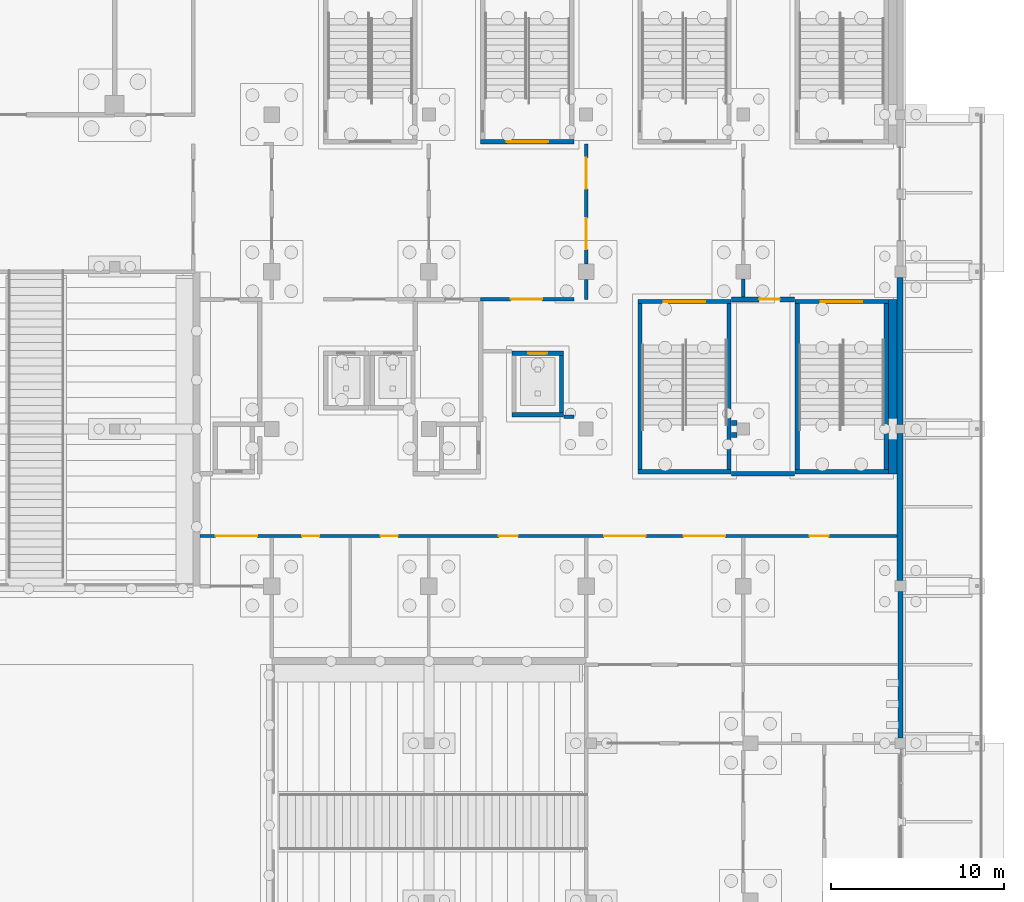
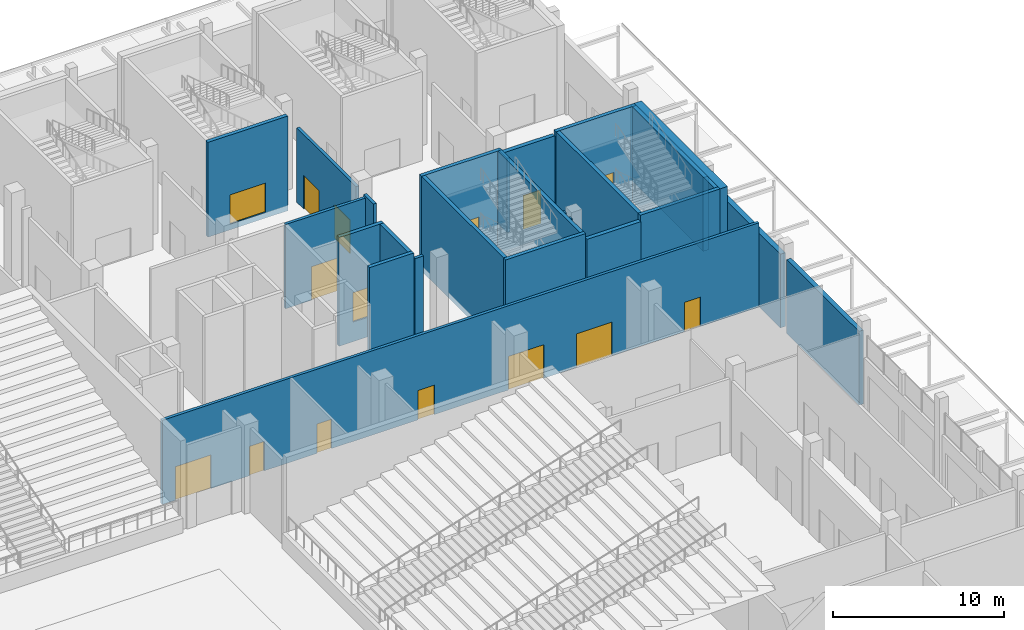
# One storey, part 86 of 129: 26 walls, 15 doors, 15 openings.
"""IFC4 building model written with IfcOpenShell, lengths in metres."""

import ifcopenshell
import ifcopenshell.guid

model = None  # the IFC model being written
_history = None  # IfcOwnerHistory: only IFC2X3 demands one
_inside = {}  # id of a spatial element -> (the spatial element, [elements in it])
_under = {}  # id of a project, library or spatial element -> (it, [spatial elements below it])
_declared = {}  # id of a project -> (the project, [libraries it declares])
_typed = {}  # id of a type object -> (the type object, [elements of that type])
_made_of = {}  # id of a material, layer set ... -> (it, [elements and type objects made of it])


def new_model(schema):
    """Start an empty IFC model of exactly this schema.

    Asked for "IFC4X3", IfcOpenShell would pick the latest addendum, in which some entities
    have other attributes; the version numbers below select the first issue.
    IFC2X3 requires an IfcOwnerHistory on every rooted entity: one is made here for all.
    """
    global model, _history
    if schema == "IFC4X3":
        model = ifcopenshell.file(schema_version=(4, 3, 0, 0))
    else:
        model = ifcopenshell.file(schema=schema)
    _inside.clear()
    _under.clear()
    _declared.clear()
    _typed.clear()
    _made_of.clear()
    _history = None
    if model.schema == "IFC2X3":
        org = make("IfcOrganization", Name="unknown")
        user = make(
            "IfcPersonAndOrganization",
            ThePerson=make("IfcPerson", FamilyName="unknown"),
            TheOrganization=org,
        )
        app = make(
            "IfcApplication",
            ApplicationDeveloper=org,
            Version="unknown",
            ApplicationFullName="unknown",
            ApplicationIdentifier="unknown",
        )
        _history = make(
            "IfcOwnerHistory",
            OwningUser=user,
            OwningApplication=app,
            ChangeAction="ADDED",
            CreationDate=0,
        )
    return model


def make(cls, **values):
    """One entity of the class cls with the attributes given. An attribute that is None is left unset."""
    return model.create_entity(
        cls, **{name: value for name, value in values.items() if value is not None}
    )


def rooted(cls, **values):
    """An entity with a GlobalId (a new one), such as an element, a storey or a relation."""
    return make(cls, GlobalId=ifcopenshell.guid.new(), OwnerHistory=_history, **values)


def si_unit(unit_type, name, prefix=None):
    """IfcSIUnit, for example si_unit("LENGTHUNIT", "METRE", prefix="MILLI")."""
    return make("IfcSIUnit", UnitType=unit_type, Prefix=prefix, Name=name)


def assignment(units):
    """IfcUnitAssignment: the units of a project."""
    return None if units is None else make("IfcUnitAssignment", Units=units)


def point(xyz):
    """IfcCartesianPoint."""
    return None if xyz is None else make("IfcCartesianPoint", Coordinates=xyz)


def direction(xyz):
    """IfcDirection."""
    return None if xyz is None else make("IfcDirection", DirectionRatios=xyz)


def frame(location, z_axis=None, x_axis=None):
    """IfcAxis2Placement3D, a coordinate frame: its origin and axes. An axis left out is left unset."""
    return make(
        "IfcAxis2Placement3D",
        Location=point(location),
        Axis=direction(z_axis),
        RefDirection=direction(x_axis),
    )


def frame_2d(location, x_axis=None):
    """IfcAxis2Placement2D, a coordinate frame in the plane: its origin and x axis."""
    return make(
        "IfcAxis2Placement2D", Location=point(location), RefDirection=direction(x_axis)
    )


def origin():
    """The frame at (0, 0, 0) with its axes left unset."""
    return frame((0.0, 0.0, 0.0))


def place(relative_to, where):
    """IfcLocalPlacement: puts the frame where relative to a parent placement (None: the world)."""
    return make(
        "IfcLocalPlacement", PlacementRelTo=relative_to, RelativePlacement=where
    )


def context(
    kind, dimensions, precision=None, world=None, true_north=None, identifier=None
):
    """IfcGeometricRepresentationContext, for example the 3D "Model" context."""
    return make(
        "IfcGeometricRepresentationContext",
        ContextIdentifier=identifier,
        ContextType=kind,
        CoordinateSpaceDimension=dimensions,
        Precision=precision,
        WorldCoordinateSystem=world,
        TrueNorth=true_north,
    )


def subcontext(parent, identifier, kind, view, scale=None):
    """IfcGeometricRepresentationSubContext, for example "Body" below "Model"."""
    return make(
        "IfcGeometricRepresentationSubContext",
        ContextIdentifier=identifier,
        ContextType=kind,
        ParentContext=parent,
        TargetScale=scale,
        TargetView=view,
    )


def project(units=None, contexts=None):
    """IfcProject with its units and contexts."""
    return rooted(
        "IfcProject",
        Name="project",
        RepresentationContexts=contexts,
        UnitsInContext=assignment(units),
    )


def spatial(cls, under=None, at=None, **own):
    """A site, building, storey or space (cls), placed at a placement, below another one or the project."""
    s = rooted(cls, ObjectPlacement=at, **own)
    if under is not None:
        _under.setdefault(under.id(), (under, []))[1].append(s)
    return s


def profile(cls, at=None, kind="AREA", **sizes):
    """A parametric profile (cls). Its sizes go by their IFC names, for example OverallWidth=200.0."""
    return make(cls, ProfileType=kind, Position=at, **sizes)


def rectangle(**sizes):
    """IfcRectangleProfileDef."""
    return profile("IfcRectangleProfileDef", **sizes)


def extrude(swept, where, along, depth):
    """IfcExtrudedAreaSolid: the profile swept, set in the frame where, extruded along a direction by depth."""
    return make(
        "IfcExtrudedAreaSolid",
        SweptArea=swept,
        Position=where,
        ExtrudedDirection=direction(along),
        Depth=depth,
    )


def shape(context_of_items, identifier, shape_type, items):
    """IfcShapeRepresentation: the items that make up one representation, for example the "Body"."""
    return make(
        "IfcShapeRepresentation",
        ContextOfItems=context_of_items,
        RepresentationIdentifier=identifier,
        RepresentationType=shape_type,
        Items=items,
    )


def material(Name=None, Category=None):
    """IfcMaterial."""
    return make("IfcMaterial", Name=Name, Category=Category)


def layer(
    of_material, thickness, ventilated=None, Name=None, Category=None, Priority=None
):
    """IfcMaterialLayer: one layer of a wall or slab, of a material (None: an air gap)."""
    return make(
        "IfcMaterialLayer",
        Material=of_material,
        LayerThickness=thickness,
        IsVentilated=ventilated,
        Name=Name,
        Category=Category,
        Priority=Priority,
    )


def layer_set(layers, Name=None):
    """IfcMaterialLayerSet."""
    return make("IfcMaterialLayerSet", MaterialLayers=layers, LayerSetName=Name)


def made_of(thing, what):
    """Note that an element or type object is made of a material, layer set ...; save() writes the relation."""
    if what is not None:
        _made_of.setdefault(what.id(), (what, []))[1].append(thing)
    return thing


def type_object(cls, material=None, **own):
    """A type object (cls), such as IfcWallType, which elements share."""
    return made_of(rooted(cls, **own), material)


def element(
    cls,
    number,
    at=None,
    inside=None,
    cuts=None,
    type_object=None,
    material=None,
    context=None,
    identifier="Body",
    shape_type=None,
    held_by="IfcProductDefinitionShape",
    body=None,
    shapes=None,
    **own,
):
    """One element of the class cls, such as IfcWall. Its Tag is "e" and its number.

    at: its placement. inside: the storey or other place that contains it. cuts: it is an
    opening in that element (IfcRelVoidsElement). A single representation is given by context,
    identifier, shape_type and body (its items); several are given by shapes. held_by: the class
    of the entity that holds the representations. save() writes the other relations.
    """
    e = rooted(cls, Tag="e%d" % number, ObjectPlacement=at, **own)
    if body is not None:
        shapes = [shape(context, identifier, shape_type, body)]
    if shapes is not None:
        e.Representation = make(held_by, Representations=shapes)
    if inside is not None:
        _inside.setdefault(inside.id(), (inside, []))[1].append(e)
    if cuts is not None:
        rooted(
            "IfcRelVoidsElement", RelatingBuildingElement=cuts, RelatedOpeningElement=e
        )
    if type_object is not None:
        _typed.setdefault(type_object.id(), (type_object, []))[1].append(e)
    return made_of(e, material)


def fill(opening, filler):
    """IfcRelFillsElement: the door or window that sits in an opening."""
    return rooted(
        "IfcRelFillsElement",
        RelatingOpeningElement=opening,
        RelatedBuildingElement=filler,
    )


def aggregate(whole, parts):
    """IfcRelAggregates: a whole, such as a stair, and the parts it consists of."""
    return rooted("IfcRelAggregates", RelatingObject=whole, RelatedObjects=parts)


def save(model, path):
    """Write the relations noted so far, then the file.

    IfcRelAggregates (storeys below a building ...), IfcRelContainedInSpatialStructure (elements
    in a storey), IfcRelDefinesByType, IfcRelAssociatesMaterial and IfcRelDeclares: one each for
    every whole, place, type object, material and project.
    """
    for whole, parts in _under.values():
        aggregate(whole, parts)
    for where, things in _inside.values():
        rooted(
            "IfcRelContainedInSpatialStructure",
            RelatedElements=things,
            RelatingStructure=where,
        )
    for kind, things in _typed.values():
        rooted("IfcRelDefinesByType", RelatedObjects=things, RelatingType=kind)
    for what, things in _made_of.values():
        rooted("IfcRelAssociatesMaterial", RelatedObjects=things, RelatingMaterial=what)
    for by, libraries in _declared.values():
        rooted("IfcRelDeclares", RelatingContext=by, RelatedDefinitions=libraries)
    model.write(path)


model = new_model("IFC4")

# Units and contexts
model_context = context("Model", 3, precision=1e-05, world=origin(), true_north=direction((0.0, 1.0)))
body_context = subcontext(model_context, "Body", "Model", "MODEL_VIEW")
ifc_project = project(units=[si_unit("LENGTHUNIT", "METRE"), si_unit("AREAUNIT", "SQUARE_METRE"), si_unit("VOLUMEUNIT", "CUBIC_METRE"), si_unit("PLANEANGLEUNIT", "RADIAN"), si_unit("MASSUNIT", "GRAM", prefix="KILO")], contexts=[model_context])

# Site, building, storey
site_placement = place(None, origin())
site = spatial("IfcSite", under=ifc_project, at=site_placement, CompositionType="ELEMENT")
building_placement = place(site_placement, origin())
building = spatial("IfcBuilding", under=site, at=building_placement, Name="Shirokan Park Arena", CompositionType="ELEMENT")
storey_placement = place(building_placement, origin())
storey = spatial("IfcBuildingStorey", under=building, at=storey_placement, Name="L00", CompositionType="ELEMENT", Elevation=0.0)

# Wall
ifc_material_1 = material(Name="Board-formed concrete C40/50", Category="concrete")
ifc_layer_1 = layer(ifc_material_1, 0.1201171875, Name="Board-formed concrete C40/50")
ifc_material_2 = material(Name="Mineral wool insulation")
ifc_layer_2 = layer(ifc_material_2, 0.10009765625, Name="Mineral wool insulation")
ifc_material_3 = material(Name="Concrete C35", Category="concrete")
ifc_layer_3 = layer(ifc_material_3, 0.080078125, Name="Concrete C35")
ifc_layer_set_1 = layer_set([ifc_layer_1, ifc_layer_2, ifc_layer_3], Name="Board-formed concrete C40/50 + Mineral wool insulation + Concrete C35")
wall_type_1 = type_object("IfcWallType", Name="Board-formed concrete base wall 300", PredefinedType="SOLIDWALL", material=ifc_layer_set_1)
wall_1_placement = place(storey_placement, frame((145.60009765625, 64.0, 0.0), z_axis=(0.0, 0.0, 1.0), x_axis=(0.0, 1.0, 0.0)))
element("IfcWall", 1, at=wall_1_placement, inside=storey, type_object=wall_type_1, Name="East facade wall bay 8 L00", PredefinedType="SOLIDWALL", context=body_context, shape_type="SweptSolid", body=[
    extrude(rectangle(XDim=8.47509765625, YDim=0.300048828125, at=frame_2d((4.237548828125, 0.0))), origin(), (0.0, 0.0, 1.0), 5.27001953125),
])

# Wall, openings, doors
ifc_material_4 = material(Name="Gypsum board")
ifc_layer_4 = layer(ifc_material_4, 0.02490234375, Name="Gypsum board, two layers")
ifc_layer_5 = layer(ifc_material_2, 0.14990234375, Name="Mineral wool insulation")
ifc_layer_6 = layer(ifc_material_4, 0.02490234375, Name="Gypsum board, two layers")
ifc_layer_set_2 = layer_set([ifc_layer_4, ifc_layer_5, ifc_layer_6], Name="Gypsum board, two layers + Mineral wool insulation")
wall_type_2 = type_object("IfcWallType", Name="Corridor wall 200", PredefinedType="PARTITIONING", material=ifc_layer_set_2)
wall_2_placement = place(storey_placement, frame((105.050048828125, 75.699951171875, 0.0), z_axis=(0.0, 0.0, 1.0), x_axis=(1.0, 0.0, 0.0)))
wall_2 = element("IfcWall", 2, at=wall_2_placement, inside=storey, type_object=wall_type_2, Name="Corridor wall 200 L00", PredefinedType="PARTITIONING", context=body_context, shape_type="SweptSolid", body=[
    extrude(rectangle(XDim=40.349853515625, YDim=0.199951171875, at=frame_2d((20.1748046875, 0.0))), origin(), (0.0, 0.0, 1.0), 6.02001953125),
])
opening_1_placement = place(wall_2_placement, frame((35.300048828125, 0.0, 0.0)))
opening_1 = element("IfcOpeningElement", 3, at=opening_1_placement, cuts=wall_2, Name="Opening D-0016", PredefinedType="OPENING", context=body_context, shape_type="SweptSolid", body=[
    extrude(rectangle(XDim=1.10009765625, YDim=2.10009765625, at=frame_2d((0.550048828125, 1.050048828125))), frame((0.0, 0.10986328125, 0.0), z_axis=(0.0, -1.0, 0.0), x_axis=(1.0, 0.0, 0.0)), (0.0, 0.0, 1.0), 0.219970703125),
])
opening_2_placement = place(wall_2_placement, frame((17.300048828125, 0.0, 0.0)))
opening_2 = element("IfcOpeningElement", 4, at=opening_2_placement, cuts=wall_2, Name="Opening D-0017", PredefinedType="OPENING", context=body_context, shape_type="SweptSolid", body=[
    extrude(rectangle(XDim=1.10009765625, YDim=2.10009765625, at=frame_2d((0.550048828125, 1.050048828125))), frame((0.0, 0.10986328125, 0.0), z_axis=(0.0, -1.0, 0.0), x_axis=(1.0, 0.0, 0.0)), (0.0, 0.0, 1.0), 0.219970703125),
])
opening_3_placement = place(wall_2_placement, frame((10.449951171875, 0.0, 0.0)))
opening_3 = element("IfcOpeningElement", 5, at=opening_3_placement, cuts=wall_2, Name="Opening D-0018", PredefinedType="OPENING", context=body_context, shape_type="SweptSolid", body=[
    extrude(rectangle(XDim=1.0, YDim=2.10009765625, at=frame_2d((0.5, 1.050048828125))), frame((0.0, 0.10986328125, 0.0), z_axis=(0.0, -1.0, 0.0), x_axis=(1.0, 0.0, 0.0)), (0.0, 0.0, 1.0), 0.219970703125),
])
opening_4_placement = place(wall_2_placement, frame((5.89990234375, 0.0, 0.0)))
opening_4 = element("IfcOpeningElement", 6, at=opening_4_placement, cuts=wall_2, Name="Opening D-0019", PredefinedType="OPENING", context=body_context, shape_type="SweptSolid", body=[
    extrude(rectangle(XDim=1.0, YDim=2.10009765625, at=frame_2d((0.5, 1.050048828125))), frame((0.0, 0.10986328125, 0.0), z_axis=(0.0, -1.0, 0.0), x_axis=(1.0, 0.0, 0.0)), (0.0, 0.0, 1.0), 0.219970703125),
])
opening_5_placement = place(wall_2_placement, frame((28.0, 0.0, 0.0)))
opening_5 = element("IfcOpeningElement", 7, at=opening_5_placement, cuts=wall_2, Name="Opening D-0069", PredefinedType="OPENING", context=body_context, shape_type="SweptSolid", body=[
    extrude(rectangle(XDim=2.39990234375, YDim=2.39990234375, at=frame_2d((1.199951171875, 1.199951171875))), frame((0.0, 0.10986328125, 0.0), z_axis=(0.0, -1.0, 0.0), x_axis=(1.0, 0.0, 0.0)), (0.0, 0.0, 1.0), 0.219970703125),
])
opening_6_placement = place(wall_2_placement, frame((23.39990234375, 0.0, 0.0)))
opening_6 = element("IfcOpeningElement", 8, at=opening_6_placement, cuts=wall_2, Name="Opening D-0070", PredefinedType="OPENING", context=body_context, shape_type="SweptSolid", body=[
    extrude(rectangle(XDim=2.39990234375, YDim=2.39990234375, at=frame_2d((1.199951171875, 1.199951171875))), frame((0.0, 0.10986328125, 0.0), z_axis=(0.0, -1.0, 0.0), x_axis=(1.0, 0.0, 0.0)), (0.0, 0.0, 1.0), 0.219970703125),
])
opening_7_placement = place(wall_2_placement, frame((0.89990234375, 0.0, 0.0)))
opening_7 = element("IfcOpeningElement", 9, at=opening_7_placement, cuts=wall_2, Name="Opening D-0071", PredefinedType="OPENING", context=body_context, shape_type="SweptSolid", body=[
    extrude(rectangle(XDim=2.39990234375, YDim=2.39990234375, at=frame_2d((1.199951171875, 1.199951171875))), frame((0.0, 0.10986328125, 0.0), z_axis=(0.0, -1.0, 0.0), x_axis=(1.0, 0.0, 0.0)), (0.0, 0.0, 1.0), 0.219970703125),
])
ifc_material_5 = material(Name="Timber door set, fire resisting", Category="wood")
door_type_1 = type_object("IfcDoorType", Name="Door 1000 x 2100", OperationType="SINGLE_SWING_LEFT", PredefinedType="DOOR", material=ifc_material_5)
door_1_placement = place(opening_3_placement, origin())
door_1 = element("IfcDoor", 10, at=door_1_placement, inside=storey, type_object=door_type_1, Name="Door to Doping Control Room 0.33 D-0018", OperationType="SINGLE_SWING_LEFT", OverallHeight=2.10009765625, OverallWidth=1.0, PredefinedType="DOOR", context=body_context, shape_type="SweptSolid", body=[
    extrude(rectangle(XDim=1.0, YDim=2.10009765625, at=frame_2d((0.5, 1.050048828125))), frame((0.0, 0.02490234375, 0.0), z_axis=(0.0, -1.0, 0.0), x_axis=(1.0, 0.0, 0.0)), (0.0, 0.0, 1.0), 0.050048828125),
])
fill(opening_3, door_1)
door_2_placement = place(opening_4_placement, origin())
door_2 = element("IfcDoor", 11, at=door_2_placement, inside=storey, type_object=door_type_1, Name="Door to Production Office 0.34 D-0019", OperationType="SINGLE_SWING_LEFT", OverallHeight=2.10009765625, OverallWidth=1.0, PredefinedType="DOOR", context=body_context, shape_type="SweptSolid", body=[
    extrude(rectangle(XDim=1.0, YDim=2.10009765625, at=frame_2d((0.5, 1.050048828125))), frame((0.0, 0.02490234375, 0.0), z_axis=(0.0, -1.0, 0.0), x_axis=(1.0, 0.0, 0.0)), (0.0, 0.0, 1.0), 0.050048828125),
])
fill(opening_4, door_2)
ifc_material_6 = material(Name="Steel door set, fire resisting", Category="steel")
door_type_2 = type_object("IfcDoorType", Name="Double door 2400 x 2400", OperationType="DOUBLE_DOOR_SINGLE_SWING", PredefinedType="DOOR", material=ifc_material_6)
door_3_placement = place(opening_5_placement, origin())
door_3 = element("IfcDoor", 12, at=door_3_placement, inside=storey, type_object=door_type_2, Name="Door between Service Corridor 3.0 and Concourse Link 3.0 D-0069", OperationType="DOUBLE_DOOR_SINGLE_SWING", OverallHeight=2.39990234375, OverallWidth=2.39990234375, PredefinedType="DOOR", context=body_context, shape_type="SweptSolid", body=[
    extrude(rectangle(XDim=2.39990234375, YDim=2.39990234375, at=frame_2d((1.199951171875, 1.199951171875))), frame((0.0, 0.02490234375, 0.0), z_axis=(0.0, -1.0, 0.0), x_axis=(1.0, 0.0, 0.0)), (0.0, 0.0, 1.0), 0.050048828125),
])
fill(opening_5, door_3)
door_4_placement = place(opening_6_placement, origin())
door_4 = element("IfcDoor", 13, at=door_4_placement, inside=storey, type_object=door_type_2, Name="Door between Service Corridor 3.0 and Concourse Link 3.0 D-0070", OperationType="DOUBLE_DOOR_SINGLE_SWING", OverallHeight=2.39990234375, OverallWidth=2.39990234375, PredefinedType="DOOR", context=body_context, shape_type="SweptSolid", body=[
    extrude(rectangle(XDim=2.39990234375, YDim=2.39990234375, at=frame_2d((1.199951171875, 1.199951171875))), frame((0.0, 0.02490234375, 0.0), z_axis=(0.0, -1.0, 0.0), x_axis=(1.0, 0.0, 0.0)), (0.0, 0.0, 1.0), 0.050048828125),
])
fill(opening_6, door_4)
door_5_placement = place(opening_7_placement, origin())
door_5 = element("IfcDoor", 14, at=door_5_placement, inside=storey, type_object=door_type_2, Name="Door between Service Corridor 3.0 and Team Corridor 3.0 D-0071", OperationType="DOUBLE_DOOR_SINGLE_SWING", OverallHeight=2.39990234375, OverallWidth=2.39990234375, PredefinedType="DOOR", context=body_context, shape_type="SweptSolid", body=[
    extrude(rectangle(XDim=2.39990234375, YDim=2.39990234375, at=frame_2d((1.199951171875, 1.199951171875))), frame((0.0, 0.02490234375, 0.0), z_axis=(0.0, -1.0, 0.0), x_axis=(1.0, 0.0, 0.0)), (0.0, 0.0, 1.0), 0.050048828125),
])
fill(opening_7, door_5)
door_type_3 = type_object("IfcDoorType", Name="Dressing room door 1100 x 2100", OperationType="SINGLE_SWING_LEFT", PredefinedType="DOOR", material=ifc_material_5)
door_6_placement = place(opening_1_placement, origin())
door_6 = element("IfcDoor", 15, at=door_6_placement, inside=storey, type_object=door_type_3, Name="Door to Visiting Team Dressing Room 0.31 D-0016", OperationType="SINGLE_SWING_LEFT", OverallHeight=2.10009765625, OverallWidth=1.10009765625, PredefinedType="DOOR", context=body_context, shape_type="SweptSolid", body=[
    extrude(rectangle(XDim=1.10009765625, YDim=2.10009765625, at=frame_2d((0.550048828125, 1.050048828125))), frame((0.0, 0.02490234375, 0.0), z_axis=(0.0, -1.0, 0.0), x_axis=(1.0, 0.0, 0.0)), (0.0, 0.0, 1.0), 0.050048828125),
])
fill(opening_1, door_6)
door_7_placement = place(opening_2_placement, origin())
door_7 = element("IfcDoor", 16, at=door_7_placement, inside=storey, type_object=door_type_3, Name="Door to Visiting Team Locker Room 0.32 D-0017", OperationType="SINGLE_SWING_RIGHT", OverallHeight=2.10009765625, OverallWidth=1.10009765625, PredefinedType="DOOR", context=body_context, shape_type="SweptSolid", body=[
    extrude(rectangle(XDim=1.10009765625, YDim=2.10009765625, at=frame_2d((0.550048828125, 1.050048828125))), frame((0.0, 0.02490234375, 0.0), z_axis=(0.0, -1.0, 0.0), x_axis=(1.0, 0.0, 0.0)), (0.0, 0.0, 1.0), 0.050048828125),
])
fill(opening_2, door_7)

# Wall
wall_3_placement = place(storey_placement, frame((126.699951171875, 82.60009765625, 0.0), z_axis=(0.0, 0.0, 1.0), x_axis=(-1.0, 0.0, 0.0)))
element("IfcWall", 17, at=wall_3_placement, inside=storey, type_object=wall_type_2, Name="Corridor wall 200 L00", PredefinedType="PARTITIONING", context=body_context, shape_type="SweptSolid", body=[
    extrude(rectangle(XDim=0.570068359375, YDim=0.199951171875, at=frame_2d((0.28515625, 0.0))), origin(), (0.0, 0.0, 1.0), 6.02001953125),
])

# Wall, opening, door
wall_4_placement = place(storey_placement, frame((126.699951171875, 89.39990234375, 0.0), z_axis=(0.0, 0.0, 1.0), x_axis=(-1.0, 0.0, 0.0)))
wall_4 = element("IfcWall", 18, at=wall_4_placement, inside=storey, type_object=wall_type_2, Name="Corridor wall 200 L00", PredefinedType="PARTITIONING", context=body_context, shape_type="SweptSolid", body=[
    extrude(rectangle(XDim=5.39990234375, YDim=0.199951171875, at=frame_2d((2.699951171875, 0.0))), origin(), (0.0, 0.0, 1.0), 6.02001953125),
])
opening_8_placement = place(wall_4_placement, frame((1.85009765625, 0.0, 0.0)))
opening_8 = element("IfcOpeningElement", 19, at=opening_8_placement, cuts=wall_4, Name="Opening D-0079", PredefinedType="OPENING", context=body_context, shape_type="SweptSolid", body=[
    extrude(rectangle(XDim=1.800048828125, YDim=2.39990234375, at=frame_2d((0.89990234375, 1.199951171875))), frame((0.0, 0.10986328125, 0.0), z_axis=(0.0, -1.0, 0.0), x_axis=(1.0, 0.0, 0.0)), (0.0, 0.0, 1.0), 0.219970703125),
])
ifc_material_7 = material(Name="Glazed steel door set, fire resisting", Category="steel")
door_type_4 = type_object("IfcDoorType", Name="Lift lobby door 1800 x 2400", OperationType="DOUBLE_DOOR_SINGLE_SWING", PredefinedType="DOOR", material=ifc_material_7)
door_8_placement = place(opening_8_placement, origin())
door_8 = element("IfcDoor", 20, at=door_8_placement, inside=storey, type_object=door_type_4, Name="Door between Hospitality Reception 3.0.3 and Service Lift Lobby 3.0 D-0079", OperationType="DOUBLE_DOOR_SINGLE_SWING", OverallHeight=2.39990234375, OverallWidth=1.800048828125, PredefinedType="DOOR", context=body_context, shape_type="SweptSolid", body=[
    extrude(rectangle(XDim=1.800048828125, YDim=2.39990234375, at=frame_2d((0.89990234375, 1.199951171875))), frame((0.0, 0.02490234375, 0.0), z_axis=(0.0, -1.0, 0.0), x_axis=(1.0, 0.0, 0.0)), (0.0, 0.0, 1.0), 0.050048828125),
])
fill(opening_8, door_8)

# Wall
wall_5_placement = place(storey_placement, frame((127.39990234375, 89.39990234375, 0.0), z_axis=(0.0, 0.0, 1.0), x_axis=(0.0, 1.0, 0.0)))
element("IfcWall", 21, at=wall_5_placement, inside=storey, type_object=wall_type_2, Name="Corridor wall 200 L00", PredefinedType="PARTITIONING", context=body_context, shape_type="SweptSolid", body=[
    extrude(rectangle(XDim=1.150146484375, YDim=0.199951171875, at=frame_2d((0.5751953125, 0.0))), origin(), (0.0, 0.0, 1.0), 5.320068359375),
])

# Wall, openings, doors
wall_6_placement = place(storey_placement, frame((127.39990234375, 91.449951171875, 0.0), z_axis=(0.0, 0.0, 1.0), x_axis=(0.0, 1.0, 0.0)))
wall_6 = element("IfcWall", 22, at=wall_6_placement, inside=storey, type_object=wall_type_2, Name="Corridor wall 200 L00", PredefinedType="PARTITIONING", context=body_context, shape_type="SweptSolid", body=[
    extrude(rectangle(XDim=6.949951171875, YDim=0.199951171875, at=frame_2d((3.47509765625, 0.0))), origin(), (0.0, 0.0, 1.0), 5.320068359375),
])
opening_9_placement = place(wall_6_placement, frame((0.85009765625, 0.0, 0.0)))
opening_9 = element("IfcOpeningElement", 23, at=opening_9_placement, cuts=wall_6, Name="Opening D-0075", PredefinedType="OPENING", context=body_context, shape_type="SweptSolid", body=[
    extrude(rectangle(XDim=1.800048828125, YDim=2.39990234375, at=frame_2d((0.89990234375, 1.199951171875))), frame((0.0, 0.10986328125, 0.0), z_axis=(0.0, -1.0, 0.0), x_axis=(1.0, 0.0, 0.0)), (0.0, 0.0, 1.0), 0.219970703125),
])
opening_10_placement = place(wall_6_placement, frame((4.35009765625, 0.0, 0.0)))
opening_10 = element("IfcOpeningElement", 24, at=opening_10_placement, cuts=wall_6, Name="Opening D-0076", PredefinedType="OPENING", context=body_context, shape_type="SweptSolid", body=[
    extrude(rectangle(XDim=1.800048828125, YDim=2.39990234375, at=frame_2d((0.89990234375, 1.199951171875))), frame((0.0, 0.10986328125, 0.0), z_axis=(0.0, -1.0, 0.0), x_axis=(1.0, 0.0, 0.0)), (0.0, 0.0, 1.0), 0.219970703125),
])
door_9_placement = place(opening_9_placement, origin())
door_9 = element("IfcDoor", 25, at=door_9_placement, inside=storey, type_object=door_type_4, Name="Door between Equipment Lobby 3.0.2 and Hospitality Reception 3.0.3 D-0075", OperationType="DOUBLE_DOOR_SINGLE_SWING", OverallHeight=2.39990234375, OverallWidth=1.800048828125, PredefinedType="DOOR", context=body_context, shape_type="SweptSolid", body=[
    extrude(rectangle(XDim=1.800048828125, YDim=2.39990234375, at=frame_2d((0.89990234375, 1.199951171875))), frame((0.0, 0.02490234375, 0.0), z_axis=(0.0, -1.0, 0.0), x_axis=(1.0, 0.0, 0.0)), (0.0, 0.0, 1.0), 0.050048828125),
])
fill(opening_9, door_9)
door_10_placement = place(opening_10_placement, origin())
door_10 = element("IfcDoor", 26, at=door_10_placement, inside=storey, type_object=door_type_4, Name="Door between Equipment Lobby 3.0.2 and Hospitality Reception 3.0.3 D-0076", OperationType="DOUBLE_DOOR_SINGLE_SWING", OverallHeight=2.39990234375, OverallWidth=1.800048828125, PredefinedType="DOOR", context=body_context, shape_type="SweptSolid", body=[
    extrude(rectangle(XDim=1.800048828125, YDim=2.39990234375, at=frame_2d((0.89990234375, 1.199951171875))), frame((0.0, 0.02490234375, 0.0), z_axis=(0.0, -1.0, 0.0), x_axis=(1.0, 0.0, 0.0)), (0.0, 0.0, 1.0), 0.050048828125),
])
fill(opening_10, door_10)

# Walls
wall_7_placement = place(storey_placement, frame((136.5, 89.53759765625, 0.0), z_axis=(0.0, 0.0, 1.0), x_axis=(0.0, 1.0, 0.0)))
element("IfcWall", 27, at=wall_7_placement, inside=storey, type_object=wall_type_2, Name="Corridor wall 200 L00", PredefinedType="PARTITIONING", context=body_context, shape_type="SweptSolid", body=[
    extrude(rectangle(XDim=1.037353515625, YDim=0.199951171875, at=frame_2d((0.5185546875, 0.0))), origin(), (0.0, 0.0, 1.0), 5.320068359375),
])
ifc_material_8 = material(Name="Cedar cladding")
ifc_layer_7 = layer(ifc_material_8, 0.030029296875, Name="Cedar cladding")
ifc_layer_8 = layer(ifc_material_2, 0.10009765625, Name="Mineral wool insulation")
ifc_layer_9 = layer(ifc_material_3, 0.199951171875, Name="Concrete C35")
ifc_material_9 = material(Name="Gypsum board lining")
ifc_layer_10 = layer(ifc_material_9, 0.02001953125, Name="Gypsum board lining")
ifc_layer_set_3 = layer_set([ifc_layer_7, ifc_layer_8, ifc_layer_9, ifc_layer_10], Name="Cedar cladding + Mineral wool insulation + Concrete C35 + Gypsum board lining")
wall_type_3 = type_object("IfcWallType", Name="Insulated tower wall 350", PredefinedType="SOLIDWALL", material=ifc_layer_set_3)
wall_8_placement = place(storey_placement, frame((145.574951171875, 73.125, 0.0), z_axis=(0.0, 0.0, 1.0), x_axis=(0.0, 1.0, 0.0)))
element("IfcWall", 28, at=wall_8_placement, inside=storey, type_object=wall_type_3, Name="East facade wall bay 9 L00", PredefinedType="SOLIDWALL", context=body_context, shape_type="SweptSolid", body=[
    extrude(rectangle(XDim=8.52490234375, YDim=0.35009765625, at=frame_2d((4.262451171875, 0.0))), origin(), (0.0, 0.0, 1.0), 5.27001953125),
])
wall_9_placement = place(storey_placement, frame((145.574951171875, 82.14990234375, 0.0), z_axis=(0.0, 0.0, 1.0), x_axis=(0.0, 1.0, 0.0)))
element("IfcWall", 29, at=wall_9_placement, inside=storey, type_object=wall_type_3, Name="East facade wall bay 10 L00", PredefinedType="SOLIDWALL", context=body_context, shape_type="SweptSolid", body=[
    extrude(rectangle(XDim=8.525146484375, YDim=0.35009765625, at=frame_2d((4.2626953125, 0.0))), origin(), (0.0, 0.0, 1.0), 5.27001953125),
])
ifc_material_10 = material(Name="Plaster")
ifc_layer_11 = layer(ifc_material_10, 0.012451171875, Name="Plaster")
ifc_material_11 = material(Name="Concrete blockwork", Category="masonry")
ifc_layer_12 = layer(ifc_material_11, 0.25, Name="Concrete blockwork 250")
ifc_layer_13 = layer(ifc_material_10, 0.012451171875, Name="Plaster")
ifc_layer_set_4 = layer_set([ifc_layer_11, ifc_layer_12, ifc_layer_13], Name="Plaster + Concrete blockwork 250")
wall_type_4 = type_object("IfcWallType", Name="Plant room wall 275", PredefinedType="SOLIDWALL", material=ifc_layer_set_4)
for number, where, z_axis, x_axis, name in (
    (30, (135.830078125, 81.550048828125, 0.0), (0.0, 0.0, 1.0), (1.0, 0.0, 0.0), "Plant room wall 275 L00"),
    (31, (136.14990234375, 82.25, 0.0), (0.0, 0.0, 1.0), (-1.0, 0.0, 0.0), "Plant room wall 275 L00"),
):
    element("IfcWall", number, at=place(storey_placement, frame(where, z_axis=z_axis, x_axis=x_axis)), inside=storey, type_object=wall_type_4, Name=name, PredefinedType="SOLIDWALL", context=body_context, shape_type="SweptSolid", body=[
        extrude(rectangle(XDim=0.31982421875, YDim=0.27490234375, at=frame_2d((0.159912109375, 0.0))), origin(), (0.0, 0.0, 1.0), 6.02001953125),
    ])

# Wall, opening, door
wall_10_placement = place(storey_placement, frame((135.830078125, 89.39990234375, 0.0), z_axis=(0.0, 0.0, 1.0), x_axis=(1.0, 0.0, 0.0)))
wall_10 = element("IfcWall", 32, at=wall_10_placement, inside=storey, type_object=wall_type_4, Name="Plant room wall 275 L00", PredefinedType="SOLIDWALL", context=body_context, shape_type="SweptSolid", body=[
    extrude(rectangle(XDim=3.639892578125, YDim=0.27490234375, at=frame_2d((1.81982421875, 0.0))), origin(), (0.0, 0.0, 1.0), 6.02001953125),
])
opening_11_placement = place(wall_10_placement, frame((1.590087890625, 0.0, 0.0)))
opening_11 = element("IfcOpeningElement", 33, at=opening_11_placement, cuts=wall_10, Name="Opening D-0013", PredefinedType="OPENING", context=body_context, shape_type="SweptSolid", body=[
    extrude(rectangle(XDim=1.199951171875, YDim=2.39990234375, at=frame_2d((0.60009765625, 1.199951171875))), frame((0.0, 0.1474609375, 0.0), z_axis=(0.0, -1.0, 0.0), x_axis=(1.0, 0.0, 0.0)), (0.0, 0.0, 1.0), 0.294921875),
])
ifc_material_12 = material(Name="Louvred steel door set, fire resisting", Category="steel")
door_type_5 = type_object("IfcDoorType", Name="Plant room door 1200 x 2400", OperationType="SINGLE_SWING_LEFT", PredefinedType="DOOR", material=ifc_material_12)
door_11_placement = place(opening_11_placement, origin())
door_11 = element("IfcDoor", 34, at=door_11_placement, inside=storey, type_object=door_type_5, Name="Door to Communications Room 0.37 D-0013", OperationType="SINGLE_SWING_RIGHT", OverallHeight=2.39990234375, OverallWidth=1.199951171875, PredefinedType="DOOR", context=body_context, shape_type="SweptSolid", body=[
    extrude(rectangle(XDim=1.199951171875, YDim=2.39990234375, at=frame_2d((0.60009765625, 1.199951171875))), frame((0.0, 0.02490234375, 0.0), z_axis=(0.0, -1.0, 0.0), x_axis=(1.0, 0.0, 0.0)), (0.0, 0.0, 1.0), 0.050048828125),
])
fill(opening_11, door_11)

# Walls
wall_11_placement = place(storey_placement, frame((139.469970703125, 79.300048828125, 0.0), z_axis=(0.0, 0.0, 1.0), x_axis=(-1.0, 0.0, 0.0)))
element("IfcWall", 35, at=wall_11_placement, inside=storey, type_object=wall_type_4, Name="Plant room wall 275 L00", PredefinedType="SOLIDWALL", context=body_context, shape_type="SweptSolid", body=[
    extrude(rectangle(XDim=3.639892578125, YDim=0.27490234375, at=frame_2d((1.81982421875, 0.0))), origin(), (0.0, 0.0, 1.0), 6.02001953125),
])
ifc_material_13 = material(Name="Concrete C40/50", Category="concrete")
ifc_layer_14 = layer(ifc_material_13, 0.25)
ifc_layer_set_5 = layer_set([ifc_layer_14], Name="Concrete C40/50 250 mm")
wall_type_5 = type_object("IfcWallType", Name="RC shear wall 250", PredefinedType="SHEAR", material=ifc_layer_set_5)
wall_12_placement = place(storey_placement, frame((126.10009765625, 82.72509765625, -1.39990234375), z_axis=(0.0, 0.0, 1.0), x_axis=(-1.0, 0.0, 0.0)))
element("IfcWall", 36, at=wall_12_placement, inside=storey, type_object=wall_type_5, Name="Shaft wall Service Lift 3 S L00", PredefinedType="SHEAR", context=body_context, shape_type="SweptSolid", body=[
    extrude(rectangle(XDim=3.0, YDim=0.25, at=frame_2d((1.5, 0.0))), origin(), (0.0, 0.0, 1.0), 7.77001953125),
])

# Wall, opening, door
wall_13_placement = place(storey_placement, frame((126.10009765625, 86.27490234375, -1.39990234375), z_axis=(0.0, 0.0, 1.0), x_axis=(-1.0, 0.0, 0.0)))
wall_13 = element("IfcWall", 37, at=wall_13_placement, inside=storey, type_object=wall_type_5, Name="Shaft wall Service Lift 3 N L00", PredefinedType="SHEAR", context=body_context, shape_type="SweptSolid", body=[
    extrude(rectangle(XDim=3.0, YDim=0.25, at=frame_2d((1.5, 0.0))), origin(), (0.0, 0.0, 1.0), 7.77001953125),
])
opening_12_placement = place(wall_13_placement, frame((0.949951171875, 0.0, 1.39990234375)))
opening_12 = element("IfcOpeningElement", 38, at=opening_12_placement, cuts=wall_13, Name="Opening LD63", PredefinedType="OPENING", context=body_context, shape_type="SweptSolid", body=[
    extrude(rectangle(XDim=1.10009765625, YDim=2.10009765625, at=frame_2d((0.550048828125, 1.050048828125))), frame((0.0, 0.135009765625, 0.0), z_axis=(0.0, -1.0, 0.0), x_axis=(1.0, 0.0, 0.0)), (0.0, 0.0, 1.0), 0.27001953125),
])
ifc_material_14 = material(Name="Stainless steel", Category="steel")
door_type_6 = type_object("IfcDoorType", Name="Lift landing door 1100x2100", OperationType="DOUBLE_DOOR_SLIDING", PredefinedType="DOOR", material=ifc_material_14)
door_12_placement = place(opening_12_placement, origin())
door_12 = element("IfcDoor", 39, at=door_12_placement, inside=storey, type_object=door_type_6, Name="Lift landing door Service Lift 3 L00", OperationType="DOUBLE_DOOR_SLIDING", OverallHeight=2.10009765625, OverallWidth=1.10009765625, PredefinedType="DOOR", context=body_context, shape_type="SweptSolid", body=[
    extrude(rectangle(XDim=1.10009765625, YDim=2.10009765625, at=frame_2d((0.550048828125, 1.050048828125))), frame((0.0, 0.02490234375, 0.0), z_axis=(0.0, -1.0, 0.0), x_axis=(1.0, 0.0, 0.0)), (0.0, 0.0, 1.0), 0.050048828125),
])
fill(opening_12, door_12)

# Wall
wall_14_placement = place(storey_placement, frame((125.97509765625, 86.14990234375, -1.39990234375), z_axis=(0.0, 0.0, 1.0), x_axis=(0.0, -1.0, 0.0)))
element("IfcWall", 40, at=wall_14_placement, inside=storey, type_object=wall_type_5, Name="Shaft wall Service Lift 3 E L00", PredefinedType="SHEAR", context=body_context, shape_type="SweptSolid", body=[
    extrude(rectangle(XDim=3.2998046875, YDim=0.25, at=frame_2d((1.64990234375, 0.0))), origin(), (0.0, 0.0, 1.0), 7.77001953125),
])

# Wall, opening, door
wall_15_placement = place(storey_placement, frame((126.699951171875, 98.52490234375, -0.39990234375), z_axis=(0.0, 0.0, 1.0), x_axis=(-1.0, 0.0, 0.0)))
wall_15 = element("IfcWall", 41, at=wall_15_placement, inside=storey, type_object=wall_type_5, Name="Shaft wall Exit Stair 3.C S L00", PredefinedType="SHEAR", context=body_context, shape_type="SweptSolid", body=[
    extrude(rectangle(XDim=5.39990234375, YDim=0.25, at=frame_2d((2.699951171875, 0.0))), origin(), (0.0, 0.0, 1.0), 6.77001953125),
])
opening_13_placement = place(wall_15_placement, frame((1.5, 0.0, 0.39990234375)))
opening_13 = element("IfcOpeningElement", 42, at=opening_13_placement, cuts=wall_15, Name="Opening D-0190", PredefinedType="OPENING", context=body_context, shape_type="SweptSolid", body=[
    extrude(rectangle(XDim=2.39990234375, YDim=2.10009765625, at=frame_2d((1.199951171875, 1.050048828125))), frame((0.0, 0.135009765625, 0.0), z_axis=(0.0, -1.0, 0.0), x_axis=(1.0, 0.0, 0.0)), (0.0, 0.0, 1.0), 0.27001953125),
])
door_type_7 = type_object("IfcDoorType", Name="Stair door 2400 x 2100", OperationType="DOUBLE_DOOR_SINGLE_SWING", PredefinedType="DOOR", material=ifc_material_6)
door_13_placement = place(opening_13_placement, origin())
door_13 = element("IfcDoor", 43, at=door_13_placement, inside=storey, type_object=door_type_7, Name="Stair door Exit Stair 3.C D-0190", OperationType="DOUBLE_DOOR_SINGLE_SWING", OverallHeight=2.10009765625, OverallWidth=2.39990234375, PredefinedType="DOOR", context=body_context, shape_type="SweptSolid", body=[
    extrude(rectangle(XDim=2.39990234375, YDim=2.10009765625, at=frame_2d((1.199951171875, 1.050048828125))), frame((0.0, 0.02490234375, 0.0), z_axis=(0.0, -1.0, 0.0), x_axis=(1.0, 0.0, 0.0)), (0.0, 0.0, 1.0), 0.050048828125),
])
fill(opening_13, door_13)

# Wall
wall_16_placement = place(storey_placement, frame((144.89990234375, 79.425048828125, -0.39990234375), z_axis=(0.0, 0.0, 1.0), x_axis=(-1.0, 0.0, 0.0)))
element("IfcWall", 44, at=wall_16_placement, inside=storey, type_object=wall_type_5, Name="Shaft wall Exit Stair 3.E S L00", PredefinedType="SHEAR", context=body_context, shape_type="SweptSolid", body=[
    extrude(rectangle(XDim=5.39990234375, YDim=0.25, at=frame_2d((2.699951171875, 0.0))), origin(), (0.0, 0.0, 1.0), 6.77001953125),
])

# Wall, opening, door
wall_17_placement = place(storey_placement, frame((144.89990234375, 89.27490234375, -0.39990234375), z_axis=(0.0, 0.0, 1.0), x_axis=(-1.0, 0.0, 0.0)))
wall_17 = element("IfcWall", 45, at=wall_17_placement, inside=storey, type_object=wall_type_5, Name="Shaft wall Exit Stair 3.E N L00", PredefinedType="SHEAR", context=body_context, shape_type="SweptSolid", body=[
    extrude(rectangle(XDim=5.39990234375, YDim=0.25, at=frame_2d((2.699951171875, 0.0))), origin(), (0.0, 0.0, 1.0), 6.77001953125),
])
opening_14_placement = place(wall_17_placement, frame((1.5, 0.0, 0.39990234375)))
opening_14 = element("IfcOpeningElement", 46, at=opening_14_placement, cuts=wall_17, Name="Opening D-0192", PredefinedType="OPENING", context=body_context, shape_type="SweptSolid", body=[
    extrude(rectangle(XDim=2.39990234375, YDim=2.10009765625, at=frame_2d((1.199951171875, 1.050048828125))), frame((0.0, 0.135009765625, 0.0), z_axis=(0.0, -1.0, 0.0), x_axis=(1.0, 0.0, 0.0)), (0.0, 0.0, 1.0), 0.27001953125),
])
door_14_placement = place(opening_14_placement, origin())
door_14 = element("IfcDoor", 47, at=door_14_placement, inside=storey, type_object=door_type_7, Name="Stair door Exit Stair 3.E D-0192", OperationType="DOUBLE_DOOR_SINGLE_SWING", OverallHeight=2.10009765625, OverallWidth=2.39990234375, PredefinedType="DOOR", context=body_context, shape_type="SweptSolid", body=[
    extrude(rectangle(XDim=2.39990234375, YDim=2.10009765625, at=frame_2d((1.199951171875, 1.050048828125))), frame((0.0, 0.02490234375, 0.0), z_axis=(0.0, -1.0, 0.0), x_axis=(1.0, 0.0, 0.0)), (0.0, 0.0, 1.0), 0.050048828125),
])
fill(opening_14, door_14)

# Walls
for number, where, z_axis, x_axis, name in (
    (48, (139.625, 89.14990234375, -0.39990234375), (0.0, 0.0, 1.0), (0.0, -1.0, 0.0), "Shaft wall Exit Stair 3.E W L00"),
    (49, (144.77490234375, 89.14990234375, -0.39990234375), (0.0, 0.0, 1.0), (0.0, -1.0, 0.0), "Shaft wall Exit Stair 3.E E L00"),
):
    element("IfcWall", number, at=place(storey_placement, frame(where, z_axis=z_axis, x_axis=x_axis)), inside=storey, type_object=wall_type_5, Name=name, PredefinedType="SHEAR", context=body_context, shape_type="SweptSolid", body=[
        extrude(rectangle(XDim=9.599853515625, YDim=0.25, at=frame_2d((4.7998046875, 0.0))), origin(), (0.0, 0.0, 1.0), 6.77001953125),
    ])
wall_18_placement = place(storey_placement, frame((135.800048828125, 79.425048828125, -0.39990234375), z_axis=(0.0, 0.0, 1.0), x_axis=(-1.0, 0.0, 0.0)))
element("IfcWall", 50, at=wall_18_placement, inside=storey, type_object=wall_type_5, Name="Shaft wall Exit Stair 3.F S L00", PredefinedType="SHEAR", context=body_context, shape_type="SweptSolid", body=[
    extrude(rectangle(XDim=5.400146484375, YDim=0.25, at=frame_2d((2.7001953125, 0.0))), origin(), (0.0, 0.0, 1.0), 6.77001953125),
])

# Wall, opening, door
wall_19_placement = place(storey_placement, frame((135.800048828125, 89.27490234375, -0.39990234375), z_axis=(0.0, 0.0, 1.0), x_axis=(-1.0, 0.0, 0.0)))
wall_19 = element("IfcWall", 51, at=wall_19_placement, inside=storey, type_object=wall_type_5, Name="Shaft wall Exit Stair 3.F N L00", PredefinedType="SHEAR", context=body_context, shape_type="SweptSolid", body=[
    extrude(rectangle(XDim=5.400146484375, YDim=0.25, at=frame_2d((2.7001953125, 0.0))), origin(), (0.0, 0.0, 1.0), 6.77001953125),
])
opening_15_placement = place(wall_19_placement, frame((1.5, 0.0, 0.39990234375)))
opening_15 = element("IfcOpeningElement", 52, at=opening_15_placement, cuts=wall_19, Name="Opening D-0193", PredefinedType="OPENING", context=body_context, shape_type="SweptSolid", body=[
    extrude(rectangle(XDim=2.39990234375, YDim=2.10009765625, at=frame_2d((1.199951171875, 1.050048828125))), frame((0.0, 0.135009765625, 0.0), z_axis=(0.0, -1.0, 0.0), x_axis=(1.0, 0.0, 0.0)), (0.0, 0.0, 1.0), 0.27001953125),
])
door_15_placement = place(opening_15_placement, origin())
door_15 = element("IfcDoor", 53, at=door_15_placement, inside=storey, type_object=door_type_7, Name="Stair door Exit Stair 3.F D-0193", OperationType="DOUBLE_DOOR_SINGLE_SWING", OverallHeight=2.10009765625, OverallWidth=2.39990234375, PredefinedType="DOOR", context=body_context, shape_type="SweptSolid", body=[
    extrude(rectangle(XDim=2.39990234375, YDim=2.10009765625, at=frame_2d((1.199951171875, 1.050048828125))), frame((0.0, 0.02490234375, 0.0), z_axis=(0.0, -1.0, 0.0), x_axis=(1.0, 0.0, 0.0)), (0.0, 0.0, 1.0), 0.050048828125),
])
fill(opening_15, door_15)

# Walls
for number, where, z_axis, x_axis, name in (
    (54, (130.52490234375, 89.14990234375, -0.39990234375), (0.0, 0.0, 1.0), (0.0, -1.0, 0.0), "Shaft wall Exit Stair 3.F W L00"),
    (55, (135.675048828125, 89.14990234375, -0.39990234375), (0.0, 0.0, 1.0), (0.0, -1.0, 0.0), "Shaft wall Exit Stair 3.F E L00"),
):
    element("IfcWall", number, at=place(storey_placement, frame(where, z_axis=z_axis, x_axis=x_axis)), inside=storey, type_object=wall_type_5, Name=name, PredefinedType="SHEAR", context=body_context, shape_type="SweptSolid", body=[
        extrude(rectangle(XDim=9.599853515625, YDim=0.25, at=frame_2d((4.7998046875, 0.0))), origin(), (0.0, 0.0, 1.0), 6.77001953125),
    ])
ifc_layer_15 = layer(ifc_material_3, 0.5)
ifc_layer_set_6 = layer_set([ifc_layer_15], Name="Concrete C35 500 mm")
wall_type_6 = type_object("IfcWallType", Name="Shaft infill wall 500", PredefinedType="SOLIDWALL", material=ifc_layer_set_6)
wall_20_placement = place(storey_placement, frame((145.14990234375, 79.300048828125, 0.0), z_axis=(0.0, 0.0, 1.0), x_axis=(0.0, 1.0, 0.0)))
element("IfcWall", 56, at=wall_20_placement, inside=storey, type_object=wall_type_6, Name="Shaft infill wall L00", PredefinedType="SOLIDWALL", context=body_context, shape_type="SweptSolid", body=[
    extrude(rectangle(XDim=10.099853515625, YDim=0.5, at=frame_2d((5.0498046875, 0.0))), origin(), (0.0, 0.0, 1.0), 6.3701171875),
])

save(model, "model.ifc")
